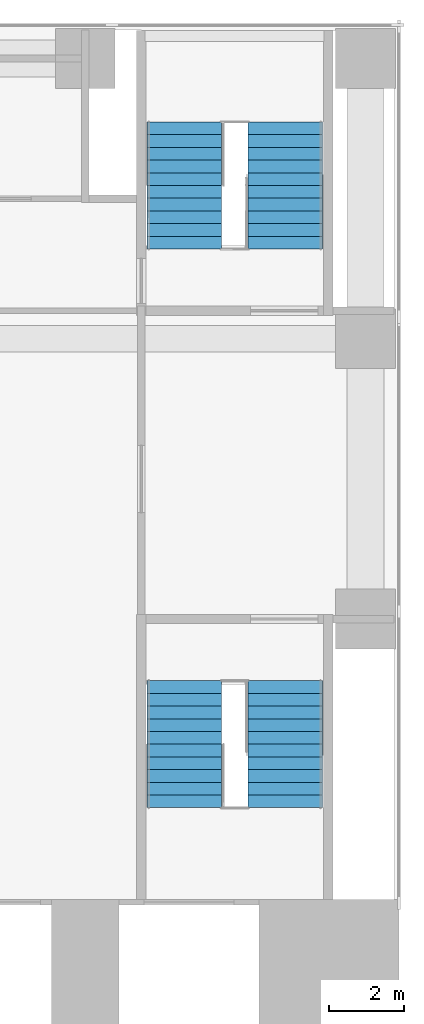
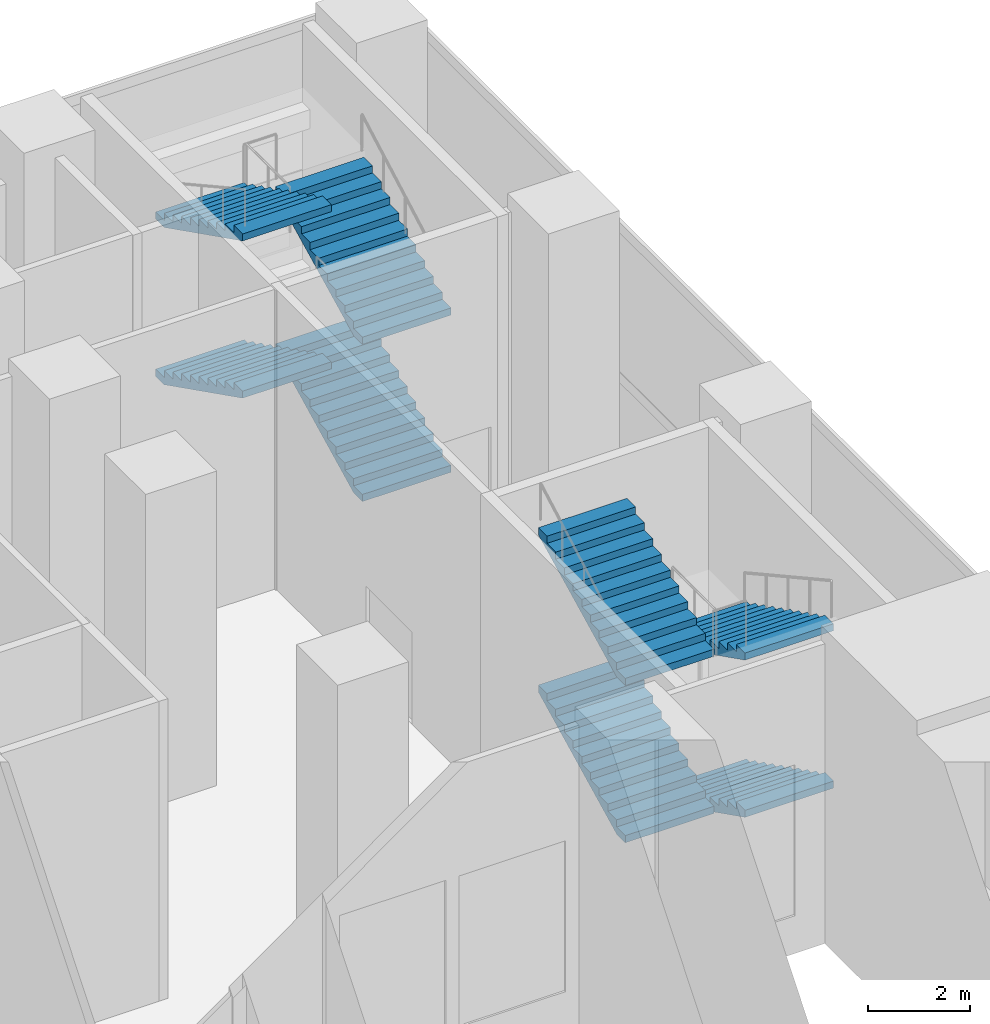
# One storey, part 10 of 15: 8 stair flights, 2 elements without a shape of their own.
"""IFC4 building model written with IfcOpenShell, lengths in metres."""

from ifc_helpers import new_model, si_unit, direction, frame, origin, place, context, subcontext, project, spatial, polyline, outline, extrude, material, type_object, element, aggregate, save


model = new_model("IFC4")

# Units and contexts
model_context = context("Model", 3, precision=1e-05, world=origin(), true_north=direction((0.0, 1.0)))
body_context = subcontext(model_context, "Body", "Model", "MODEL_VIEW")
ifc_project = project(units=[si_unit("LENGTHUNIT", "METRE"), si_unit("AREAUNIT", "SQUARE_METRE"), si_unit("VOLUMEUNIT", "CUBIC_METRE"), si_unit("PLANEANGLEUNIT", "RADIAN"), si_unit("MASSUNIT", "GRAM", prefix="KILO")], contexts=[model_context])

# Site, building, storey
site_placement = place(None, origin())
site = spatial("IfcSite", under=ifc_project, at=site_placement, CompositionType="ELEMENT")
building_placement = place(site_placement, origin())
building = spatial("IfcBuilding", under=site, at=building_placement, Name="Pilkhan Gate Tower", CompositionType="ELEMENT")
storey_placement = place(building_placement, frame((0.0, 0.0, 16.5)))
storey = spatial("IfcBuildingStorey", under=building, at=storey_placement, Name="L02", CompositionType="ELEMENT", Elevation=16.5)

# Stair, stair flights
ifc_material = material(Name="Concrete C40/50 precast", Category="concrete")
stair_type_1 = type_object("IfcStairType", Name="Stair PS2 170x340", PredefinedType="HALF_TURN_STAIR", material=ifc_material)
stair_1_placement = place(storey_placement, origin())
stair_1 = element("IfcStair", 1, at=stair_1_placement, inside=storey, type_object=stair_type_1, Name="Stair PS2 L02", PredefinedType="HALF_TURN_STAIR")
stair_flight_type_1 = type_object("IfcStairFlightType", Name="Stair flight PS2 170x340x11", PredefinedType="STRAIGHT", material=ifc_material)
stair_flight_1_placement = place(storey_placement, frame((110.35009765625, 88.64990234375, 0.0), z_axis=(0.0, 0.0, 1.0), x_axis=(0.0, 1.0, 0.0)))
stair_flight_1 = element("IfcStairFlight", 2, at=stair_flight_1_placement, type_object=stair_flight_type_1, Name="PS2 flight 1", NumberOfRisers=11, NumberOfTreads=10, PredefinedType="STRAIGHT", RiserHeight=0.170454545, TreadLength=0.34, context=body_context, shape_type="SweptSolid", body=[
    extrude(outline(polyline([(0.0, 0.0), (0.0, 0.17041015625), (0.340087890625, 0.17041015625), (0.340087890625, 0.3408203125), (0.679931640625, 0.3408203125), (0.679931640625, 0.511474609375), (1.02001953125, 0.511474609375), (1.02001953125, 0.681884765625), (1.360107421875, 0.681884765625), (1.360107421875, 0.852294921875), (1.699951171875, 0.852294921875), (1.699951171875, 1.022705078125), (2.0400390625, 1.022705078125), (2.0400390625, 1.193115234375), (2.3798828125, 1.193115234375), (2.3798828125, 1.363525390625), (2.719970703125, 1.363525390625), (2.719970703125, 1.5341796875), (3.06005859375, 1.5341796875), (3.06005859375, 1.70458984375), (3.39990234375, 1.70458984375), (3.39990234375, 1.875), (3.39990234375, 1.536865234375), (0.33447265625, 0.0), (0.0, 0.0)])), frame((0.0, 1.0, 0.0), z_axis=(0.0, -1.0, 0.0), x_axis=(1.0, 0.0, 0.0)), (0.0, 0.0, 1.0), 2.0),
])
stair_flight_2_placement = place(storey_placement, frame((107.64990234375, 92.050048828125, 1.875), z_axis=(0.0, 0.0, 1.0), x_axis=(0.0, -1.0, 0.0)))
stair_flight_2 = element("IfcStairFlight", 3, at=stair_flight_2_placement, type_object=stair_flight_type_1, Name="PS2 flight 2", NumberOfRisers=11, NumberOfTreads=10, PredefinedType="STRAIGHT", RiserHeight=0.170454545, TreadLength=0.34, context=body_context, shape_type="SweptSolid", body=[
    extrude(outline(polyline([(0.0, 0.0), (0.0, 0.17041015625), (0.340087890625, 0.17041015625), (0.340087890625, 0.3408203125), (0.679931640625, 0.3408203125), (0.679931640625, 0.511474609375), (1.02001953125, 0.511474609375), (1.02001953125, 0.681884765625), (1.360107421875, 0.681884765625), (1.360107421875, 0.852294921875), (1.699951171875, 0.852294921875), (1.699951171875, 1.022705078125), (2.0400390625, 1.022705078125), (2.0400390625, 1.193115234375), (2.3798828125, 1.193115234375), (2.3798828125, 1.363525390625), (2.719970703125, 1.363525390625), (2.719970703125, 1.5341796875), (3.06005859375, 1.5341796875), (3.06005859375, 1.70458984375), (3.39990234375, 1.70458984375), (3.39990234375, 1.875), (3.39990234375, 1.536865234375), (0.33447265625, 0.0), (0.0, 0.0)])), frame((0.0, 1.0, 0.0), z_axis=(0.0, -1.0, 0.0), x_axis=(1.0, 0.0, 0.0)), (0.0, 0.0, 1.0), 2.0),
])
stair_flight_3_placement = place(storey_placement, frame((110.35009765625, 88.64990234375, 3.75), z_axis=(0.0, 0.0, 1.0), x_axis=(0.0, 1.0, 0.0)))
stair_flight_3 = element("IfcStairFlight", 4, at=stair_flight_3_placement, type_object=stair_flight_type_1, Name="PS2 flight 3", NumberOfRisers=11, NumberOfTreads=10, PredefinedType="STRAIGHT", RiserHeight=0.170454545, TreadLength=0.34, context=body_context, shape_type="SweptSolid", body=[
    extrude(outline(polyline([(0.0, 0.0), (0.0, 0.17041015625), (0.340087890625, 0.17041015625), (0.340087890625, 0.3408203125), (0.679931640625, 0.3408203125), (0.679931640625, 0.511474609375), (1.02001953125, 0.511474609375), (1.02001953125, 0.681884765625), (1.360107421875, 0.681884765625), (1.360107421875, 0.852294921875), (1.699951171875, 0.852294921875), (1.699951171875, 1.022705078125), (2.0400390625, 1.022705078125), (2.0400390625, 1.193115234375), (2.3798828125, 1.193115234375), (2.3798828125, 1.363525390625), (2.719970703125, 1.363525390625), (2.719970703125, 1.5341796875), (3.06005859375, 1.5341796875), (3.06005859375, 1.70458984375), (3.39990234375, 1.70458984375), (3.39990234375, 1.875), (3.39990234375, 1.536865234375), (0.33447265625, 0.0), (0.0, 0.0)])), frame((0.0, 1.0, 0.0), z_axis=(0.0, -1.0, 0.0), x_axis=(1.0, 0.0, 0.0)), (0.0, 0.0, 1.0), 2.0),
])
stair_flight_4_placement = place(storey_placement, frame((107.64990234375, 92.050048828125, 5.625), z_axis=(0.0, 0.0, 1.0), x_axis=(0.0, -1.0, 0.0)))
stair_flight_4 = element("IfcStairFlight", 5, at=stair_flight_4_placement, type_object=stair_flight_type_1, Name="PS2 flight 4", NumberOfRisers=11, NumberOfTreads=10, PredefinedType="STRAIGHT", RiserHeight=0.170454545, TreadLength=0.34, context=body_context, shape_type="SweptSolid", body=[
    extrude(outline(polyline([(0.0, 0.0), (0.0, 0.17041015625), (0.340087890625, 0.17041015625), (0.340087890625, 0.3408203125), (0.679931640625, 0.3408203125), (0.679931640625, 0.511474609375), (1.02001953125, 0.511474609375), (1.02001953125, 0.681884765625), (1.360107421875, 0.681884765625), (1.360107421875, 0.852294921875), (1.699951171875, 0.852294921875), (1.699951171875, 1.022705078125), (2.0400390625, 1.022705078125), (2.0400390625, 1.193115234375), (2.3798828125, 1.193115234375), (2.3798828125, 1.363525390625), (2.719970703125, 1.363525390625), (2.719970703125, 1.5341796875), (3.06005859375, 1.5341796875), (3.06005859375, 1.70458984375), (3.39990234375, 1.70458984375), (3.39990234375, 1.875), (3.39990234375, 1.536865234375), (0.33447265625, 0.0), (0.0, 0.0)])), frame((0.0, 1.0, 0.0), z_axis=(0.0, -1.0, 0.0), x_axis=(1.0, 0.0, 0.0)), (0.0, 0.0, 1.0), 2.0),
])
aggregate(stair_1, [stair_flight_1, stair_flight_2, stair_flight_3, stair_flight_4])

stair_type_2 = type_object("IfcStairType", Name="Stair PS4 170x340", PredefinedType="HALF_TURN_STAIR", material=ifc_material)
stair_2_placement = place(storey_placement, origin())
stair_2 = element("IfcStair", 6, at=stair_2_placement, inside=storey, type_object=stair_type_2, Name="Stair PS4 L02", PredefinedType="HALF_TURN_STAIR")
stair_flight_type_2 = type_object("IfcStairFlightType", Name="Stair flight PS4 170x340x11", PredefinedType="STRAIGHT", material=ifc_material)
stair_flight_5_placement = place(storey_placement, frame((110.35009765625, 77.10009765625, 0.0), z_axis=(0.0, 0.0, 1.0), x_axis=(0.0, -1.0, 0.0)))
stair_flight_5 = element("IfcStairFlight", 7, at=stair_flight_5_placement, type_object=stair_flight_type_2, Name="PS4 flight 1", NumberOfRisers=11, NumberOfTreads=10, PredefinedType="STRAIGHT", RiserHeight=0.170454545, TreadLength=0.34, context=body_context, shape_type="SweptSolid", body=[
    extrude(outline(polyline([(0.0, 0.0), (0.0, 0.17041015625), (0.340087890625, 0.17041015625), (0.340087890625, 0.3408203125), (0.679931640625, 0.3408203125), (0.679931640625, 0.511474609375), (1.02001953125, 0.511474609375), (1.02001953125, 0.681884765625), (1.360107421875, 0.681884765625), (1.360107421875, 0.852294921875), (1.699951171875, 0.852294921875), (1.699951171875, 1.022705078125), (2.0400390625, 1.022705078125), (2.0400390625, 1.193115234375), (2.3798828125, 1.193115234375), (2.3798828125, 1.363525390625), (2.719970703125, 1.363525390625), (2.719970703125, 1.5341796875), (3.06005859375, 1.5341796875), (3.06005859375, 1.70458984375), (3.39990234375, 1.70458984375), (3.39990234375, 1.875), (3.39990234375, 1.536865234375), (0.33447265625, 0.0), (0.0, 0.0)])), frame((0.0, 1.0, 0.0), z_axis=(0.0, -1.0, 0.0), x_axis=(1.0, 0.0, 0.0)), (0.0, 0.0, 1.0), 2.0),
])
stair_flight_6_placement = place(storey_placement, frame((107.64990234375, 73.699951171875, 1.875), z_axis=(0.0, 0.0, 1.0), x_axis=(0.0, 1.0, 0.0)))
stair_flight_6 = element("IfcStairFlight", 8, at=stair_flight_6_placement, type_object=stair_flight_type_2, Name="PS4 flight 2", NumberOfRisers=11, NumberOfTreads=10, PredefinedType="STRAIGHT", RiserHeight=0.170454545, TreadLength=0.34, context=body_context, shape_type="SweptSolid", body=[
    extrude(outline(polyline([(0.0, 0.0), (0.0, 0.17041015625), (0.340087890625, 0.17041015625), (0.340087890625, 0.3408203125), (0.679931640625, 0.3408203125), (0.679931640625, 0.511474609375), (1.02001953125, 0.511474609375), (1.02001953125, 0.681884765625), (1.360107421875, 0.681884765625), (1.360107421875, 0.852294921875), (1.699951171875, 0.852294921875), (1.699951171875, 1.022705078125), (2.0400390625, 1.022705078125), (2.0400390625, 1.193115234375), (2.3798828125, 1.193115234375), (2.3798828125, 1.363525390625), (2.719970703125, 1.363525390625), (2.719970703125, 1.5341796875), (3.06005859375, 1.5341796875), (3.06005859375, 1.70458984375), (3.39990234375, 1.70458984375), (3.39990234375, 1.875), (3.39990234375, 1.536865234375), (0.33447265625, 0.0), (0.0, 0.0)])), frame((0.0, 1.0, 0.0), z_axis=(0.0, -1.0, 0.0), x_axis=(1.0, 0.0, 0.0)), (0.0, 0.0, 1.0), 2.0),
])
stair_flight_7_placement = place(storey_placement, frame((110.35009765625, 77.10009765625, 3.75), z_axis=(0.0, 0.0, 1.0), x_axis=(0.0, -1.0, 0.0)))
stair_flight_7 = element("IfcStairFlight", 9, at=stair_flight_7_placement, type_object=stair_flight_type_2, Name="PS4 flight 3", NumberOfRisers=11, NumberOfTreads=10, PredefinedType="STRAIGHT", RiserHeight=0.170454545, TreadLength=0.34, context=body_context, shape_type="SweptSolid", body=[
    extrude(outline(polyline([(0.0, 0.0), (0.0, 0.17041015625), (0.340087890625, 0.17041015625), (0.340087890625, 0.3408203125), (0.679931640625, 0.3408203125), (0.679931640625, 0.511474609375), (1.02001953125, 0.511474609375), (1.02001953125, 0.681884765625), (1.360107421875, 0.681884765625), (1.360107421875, 0.852294921875), (1.699951171875, 0.852294921875), (1.699951171875, 1.022705078125), (2.0400390625, 1.022705078125), (2.0400390625, 1.193115234375), (2.3798828125, 1.193115234375), (2.3798828125, 1.363525390625), (2.719970703125, 1.363525390625), (2.719970703125, 1.5341796875), (3.06005859375, 1.5341796875), (3.06005859375, 1.70458984375), (3.39990234375, 1.70458984375), (3.39990234375, 1.875), (3.39990234375, 1.536865234375), (0.33447265625, 0.0), (0.0, 0.0)])), frame((0.0, 1.0, 0.0), z_axis=(0.0, -1.0, 0.0), x_axis=(1.0, 0.0, 0.0)), (0.0, 0.0, 1.0), 2.0),
])
stair_flight_8_placement = place(storey_placement, frame((107.64990234375, 73.699951171875, 5.625), z_axis=(0.0, 0.0, 1.0), x_axis=(0.0, 1.0, 0.0)))
stair_flight_8 = element("IfcStairFlight", 10, at=stair_flight_8_placement, type_object=stair_flight_type_2, Name="PS4 flight 4", NumberOfRisers=11, NumberOfTreads=10, PredefinedType="STRAIGHT", RiserHeight=0.170454545, TreadLength=0.34, context=body_context, shape_type="SweptSolid", body=[
    extrude(outline(polyline([(0.0, 0.0), (0.0, 0.17041015625), (0.340087890625, 0.17041015625), (0.340087890625, 0.3408203125), (0.679931640625, 0.3408203125), (0.679931640625, 0.511474609375), (1.02001953125, 0.511474609375), (1.02001953125, 0.681884765625), (1.360107421875, 0.681884765625), (1.360107421875, 0.852294921875), (1.699951171875, 0.852294921875), (1.699951171875, 1.022705078125), (2.0400390625, 1.022705078125), (2.0400390625, 1.193115234375), (2.3798828125, 1.193115234375), (2.3798828125, 1.363525390625), (2.719970703125, 1.363525390625), (2.719970703125, 1.5341796875), (3.06005859375, 1.5341796875), (3.06005859375, 1.70458984375), (3.39990234375, 1.70458984375), (3.39990234375, 1.875), (3.39990234375, 1.536865234375), (0.33447265625, 0.0), (0.0, 0.0)])), frame((0.0, 1.0, 0.0), z_axis=(0.0, -1.0, 0.0), x_axis=(1.0, 0.0, 0.0)), (0.0, 0.0, 1.0), 2.0),
])
aggregate(stair_2, [stair_flight_5, stair_flight_6, stair_flight_7, stair_flight_8])

save(model, "model.ifc")
